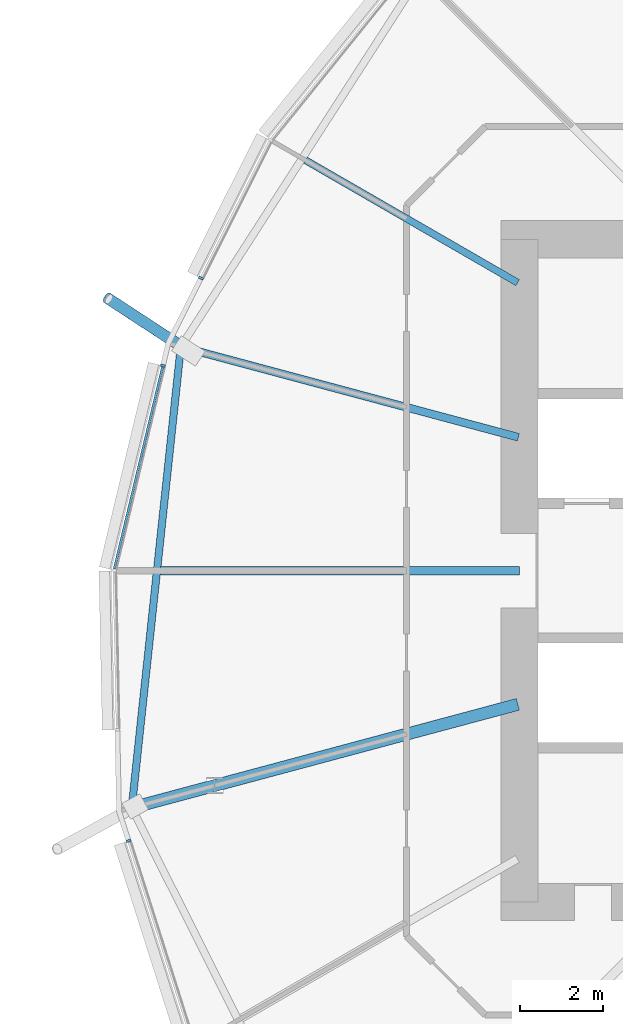
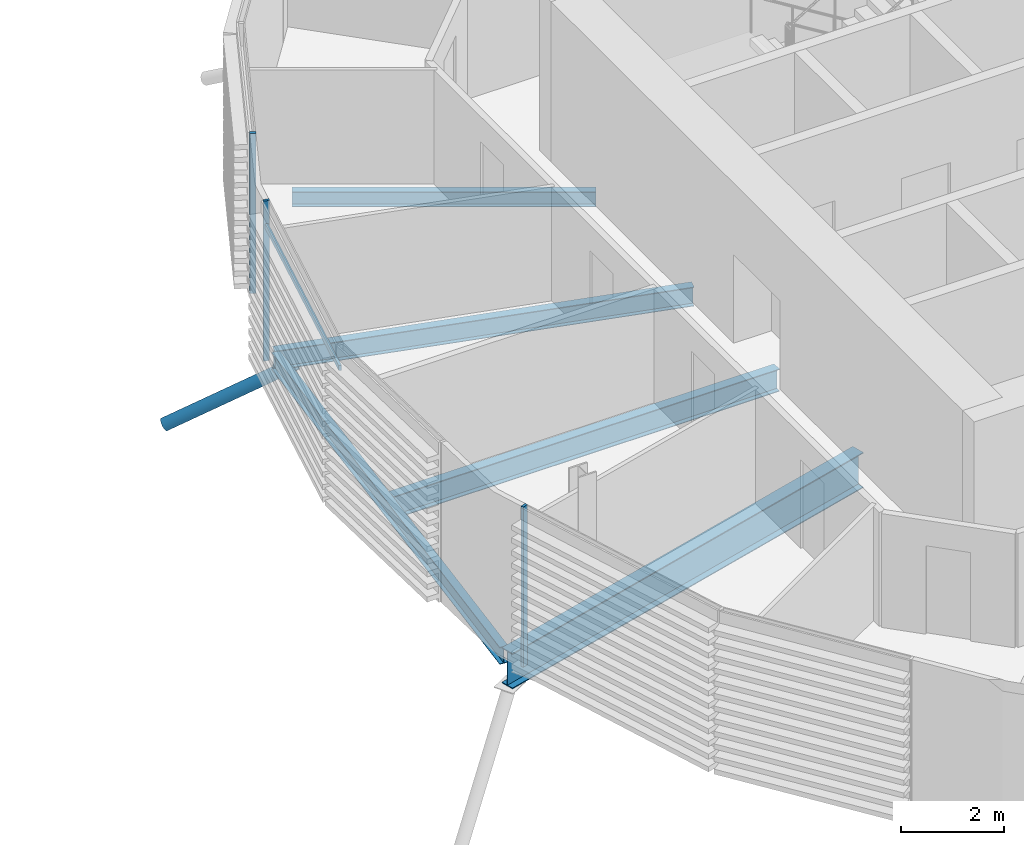
# One storey, part 14 of 38: 5 beams, 5 members, 1 element without a shape of its own.
"""IFC4 building model written with IfcOpenShell, lengths in metres."""

from ifc_helpers import new_model, si_unit, direction, frame, origin, origin_2d, place, context, subcontext, project, spatial, rectangle, hollow_circle, i_section, extrude, clip, halfspace, material, material_profile, profile_set, type_object, element, aggregate, save


model = new_model("IFC4")

# Units and contexts
model_context = context("Model", 3, precision=1e-05, world=origin(), true_north=direction((0.0, 1.0)))
body_context = subcontext(model_context, "Body", "Model", "MODEL_VIEW")
ifc_project = project(units=[si_unit("LENGTHUNIT", "METRE"), si_unit("AREAUNIT", "SQUARE_METRE"), si_unit("VOLUMEUNIT", "CUBIC_METRE"), si_unit("PLANEANGLEUNIT", "RADIAN"), si_unit("MASSUNIT", "GRAM", prefix="KILO")], contexts=[model_context])

# Site, building, storey
site_placement = place(None, origin())
site = spatial("IfcSite", under=ifc_project, at=site_placement, CompositionType="ELEMENT")
building_placement = place(site_placement, origin())
building = spatial("IfcBuilding", under=site, at=building_placement, Name="Rimbun Link Towers", CompositionType="ELEMENT")
storey_placement = place(building_placement, frame((0.0, 0.0, 56.60009765625)))
storey = spatial("IfcBuildingStorey", under=building, at=storey_placement, Name="L13", CompositionType="ELEMENT", Elevation=56.60009765625)

# Curtain wall, members
ifc_material_1 = material(Name="Aluminium 6063-T6 and low-iron glass", Category="aluminium")
curtain_wall_type = type_object("IfcCurtainWallType", Name="CW1 unitised vision wall", PredefinedType="NOTDEFINED", material=ifc_material_1)
curtain_wall_placement = place(storey_placement, origin())
curtain_wall = element("IfcCurtainWall", 1, at=curtain_wall_placement, inside=storey, type_object=curtain_wall_type, Name="CW1 L13 T2", PredefinedType="NOTDEFINED")
ifc_material_2 = material(Name="Aluminium 6063-T6", Category="aluminium")
ifc_material_profile_1 = material_profile(ifc_material_2, rectangle(XDim=0.1201171875, YDim=0.06005859375, at=origin_2d()), Name="MULLION 60X120")
ifc_profile_set_1 = profile_set([ifc_material_profile_1], Name="Aluminium 6063-T6")
member_type_1 = type_object("IfcMemberType", Name="CW1 mullion 60X120", PredefinedType="MULLION", material=ifc_profile_set_1)
member_1_placement = place(storey_placement, frame((12.06005859375, 7.062744140625, 0.0), z_axis=(0.0, 0.0, 1.0), x_axis=(-0.893637652343, 0.448789200311, 0.0)))
member_1 = element("IfcMember", 2, at=member_1_placement, type_object=member_type_1, Name="CW1 mullion", PredefinedType="MULLION", context=body_context, shape_type="SweptSolid", body=[
    extrude(rectangle(XDim=0.1201171875, YDim=0.06005859375, at=origin_2d()), origin(), (0.0, 0.0, 1.0), 3.7998046875),
])
member_2_placement = place(storey_placement, frame((11.14208984375, 4.950927734375, 0.0), z_axis=(0.0, 0.0, 1.0), x_axis=(-0.972571724543, 0.232603182737, 0.0)))
member_2 = element("IfcMember", 3, at=member_2_placement, type_object=member_type_1, Name="CW1 mullion", PredefinedType="MULLION", context=body_context, shape_type="SweptSolid", body=[
    extrude(rectangle(XDim=0.1201171875, YDim=0.06005859375, at=origin_2d()), origin(), (0.0, 0.0, 1.0), 3.7998046875),
])
member_3_placement = place(storey_placement, frame((10.311767578125, -6.522705078125, 0.0), z_axis=(0.0, 0.0, 1.0), x_axis=(-0.952967205153, -0.303073433186, 0.0)))
member_3 = element("IfcMember", 4, at=member_3_placement, type_object=member_type_1, Name="CW1 mullion", PredefinedType="MULLION", context=body_context, shape_type="SweptSolid", body=[
    extrude(rectangle(XDim=0.1201171875, YDim=0.06005859375, at=origin_2d()), origin(), (0.0, 0.0, 1.0), 3.7998046875),
])
ifc_material_3 = material(Name="Aluminium 6063-T6", Category="aluminium")
ifc_material_profile_2 = material_profile(ifc_material_3, rectangle(XDim=0.06005859375, YDim=0.1201171875, at=origin_2d()), Name="TRANSOM 60X120")
ifc_profile_set_2 = profile_set([ifc_material_profile_2], Name="Aluminium 6063-T6")
member_type_2 = type_object("IfcMemberType", Name="CW1 transom 60X120", PredefinedType="USERDEFINED", material=ifc_profile_set_2)
member_4_placement = place(storey_placement, frame((9.97021484375, 0.042724609375, 3.199951171875), z_axis=(0.23259423028, 0.972573865596, 0.0), x_axis=(-0.972573865596, 0.23259423028, 0.0)))
member_4 = element("IfcMember", 5, at=member_4_placement, type_object=member_type_2, Name="CW1 transom", ObjectType="TRANSOM", PredefinedType="USERDEFINED", context=body_context, shape_type="SweptSolid", body=[
    extrude(rectangle(XDim=0.06005859375, YDim=0.1201171875, at=origin_2d()), origin(), (0.0, 0.0, 1.0), 5.016357421875),
])
aggregate(curtain_wall, [member_1, member_2, member_3, member_4])

# Member
ifc_material_4 = material(Name="Steel S355J2H", Category="steel")
ifc_material_profile_3 = material_profile(ifc_material_4, hollow_circle(Radius=0.136474609375, WallThickness=0.012451171875, at=origin_2d()), Name="CHS 273x12.5")
ifc_profile_set_3 = profile_set([ifc_material_profile_3], Name="Steel S355J2H")
member_type_3 = type_object("IfcMemberType", Name="Floor edge link CHS 273x12.5", PredefinedType="BRACE", material=ifc_profile_set_3)
member_5_placement = place(storey_placement, frame((11.623291015625, 5.392822265625, -0.72998046875), z_axis=(-0.716341279332, 0.468207555435, -0.517336308951), x_axis=(-0.547110661043, -0.837060287299, 0.0)))
element("IfcMember", 6, at=member_5_placement, inside=storey, type_object=member_type_3, Name="Floor edge link T2 L13 08", PredefinedType="BRACE", context=body_context, shape_type="Clipping", body=[
    clip(extrude(hollow_circle(Radius=0.136474609375, WallThickness=0.012451171875, at=origin_2d()), frame((0.0, 0.0, -0.470947265625)), (0.0, 0.0, 1.0), 3.020263671875), halfspace(frame((0.0, 0.0, -0.22119140625), z_axis=(0.0, 0.855782182241, -0.517336308951)), False)),
])

# Beams
ifc_material_5 = material(Name="Steel S355J2", Category="steel")
ifc_material_profile_4 = material_profile(ifc_material_5, i_section(OverallWidth=0.17138671875, OverallDepth=0.35498046875, WebThickness=0.00732421875, FlangeThickness=0.011474609375, at=origin_2d()), Name="UB 356x171x51")
ifc_profile_set_4 = profile_set([ifc_material_profile_4], Name="Steel S355J2")
beam_type_1 = type_object("IfcBeamType", Name="UB 356x171x51", PredefinedType="BEAM", material=ifc_profile_set_4)
beam_1_placement = place(storey_placement, frame((19.706298828125, 6.95361328125, -0.337646484375), z_axis=(-0.866039857565, 0.499974964482, 0.0), x_axis=(-0.499974964482, -0.866039857565, 0.0)))
element("IfcBeam", 7, at=beam_1_placement, inside=storey, type_object=beam_type_1, Name="Radial beam T2 L13 07", PredefinedType="BEAM", context=body_context, shape_type="SweptSolid", body=[
    extrude(i_section(OverallWidth=0.17138671875, OverallDepth=0.35498046875, WebThickness=0.00732421875, FlangeThickness=0.011474609375, at=origin_2d()), origin(), (0.0, 0.0, 1.0), 5.914306640625),
])
ifc_material_6 = material(Name="Steel S355J2", Category="steel")
ifc_material_profile_5 = material_profile(ifc_material_6, i_section(OverallWidth=0.177978515625, OverallDepth=0.406494140625, WebThickness=0.0078125, FlangeThickness=0.0126953125, at=origin_2d()), Name="UB 406x178x60")
ifc_profile_set_5 = profile_set([ifc_material_profile_5], Name="Steel S355J2")
beam_type_2 = type_object("IfcBeamType", Name="UB 406x178x60", PredefinedType="BEAM", material=ifc_profile_set_5)
beam_2_placement = place(storey_placement, frame((11.564697265625, 5.309326171875, -0.36328125), z_axis=(-0.105851331979, -0.99438196661, 0.0), x_axis=(0.99438196661, -0.105851331979, 0.0)))
element("IfcBeam", 8, at=beam_2_placement, inside=storey, type_object=beam_type_2, Name="Edge beam T2 L13 08-10", PredefinedType="BEAM", context=body_context, shape_type="SweptSolid", body=[
    extrude(i_section(OverallWidth=0.177978515625, OverallDepth=0.406494140625, WebThickness=0.0078125, FlangeThickness=0.0126953125, at=origin_2d()), origin(), (0.0, 0.0, 1.0), 10.937255859375),
])
ifc_material_7 = material(Name="Steel S355J2", Category="steel")
ifc_material_profile_6 = material_profile(ifc_material_7, i_section(OverallWidth=0.18994140625, OverallDepth=0.453369140625, WebThickness=0.008544921875, FlangeThickness=0.0126953125, at=origin_2d()), Name="UB 457x191x67")
ifc_profile_set_6 = profile_set([ifc_material_profile_6], Name="Steel S355J2")
beam_type_3 = type_object("IfcBeamType", Name="UB 457x191x67", PredefinedType="BEAM", material=ifc_profile_set_6)
beam_3_placement = place(storey_placement, frame((19.724609375, 3.22216796875, -0.38671875), z_axis=(-0.965921572473, 0.258834920038, 0.0), x_axis=(-0.258834920038, -0.965921572473, 0.0)))
element("IfcBeam", 9, at=beam_3_placement, inside=storey, type_object=beam_type_3, Name="Radial beam T2 L13 08", PredefinedType="BEAM", context=body_context, shape_type="SweptSolid", body=[
    extrude(i_section(OverallWidth=0.18994140625, OverallDepth=0.453369140625, WebThickness=0.008544921875, FlangeThickness=0.0126953125, at=origin_2d()), origin(), (0.0, 0.0, 1.0), 8.437255859375),
])
ifc_material_8 = material(Name="Steel S355J2", Category="steel")
ifc_material_profile_7 = material_profile(ifc_material_8, i_section(OverallWidth=0.209228515625, OverallDepth=0.533203125, WebThickness=0.010009765625, FlangeThickness=0.015625, at=origin_2d()), Name="UB 533x210x92")
ifc_profile_set_7 = profile_set([ifc_material_profile_7], Name="Steel S355J2")
beam_type_4 = type_object("IfcBeamType", Name="UB 533x210x92", PredefinedType="BEAM", material=ifc_profile_set_7)
beam_4_placement = place(storey_placement, frame((19.7490234375, 0.0, -0.426513671875), z_axis=(-1.0, 0.0, 0.0), x_axis=(0.0, -1.0, 0.0)))
element("IfcBeam", 10, at=beam_4_placement, inside=storey, type_object=beam_type_4, Name="Radial beam T2 L13 09", PredefinedType="BEAM", context=body_context, shape_type="SweptSolid", body=[
    extrude(i_section(OverallWidth=0.209228515625, OverallDepth=0.533203125, WebThickness=0.010009765625, FlangeThickness=0.015625, at=origin_2d()), origin(), (0.0, 0.0, 1.0), 8.658935546875),
])
ifc_material_9 = material(Name="Steel S355J2", Category="steel")
ifc_material_profile_8 = material_profile(ifc_material_9, i_section(OverallWidth=0.29248046875, OverallDepth=0.8408203125, WebThickness=0.0126953125, FlangeThickness=0.021728515625, at=origin_2d()), Name="UB 838x292x194")
ifc_profile_set_8 = profile_set([ifc_material_profile_8], Name="Steel S355J2")
beam_type_5 = type_object("IfcBeamType", Name="UB 838x292x194", PredefinedType="BEAM", material=ifc_profile_set_8)
beam_5_placement = place(storey_placement, frame((19.711181640625, -3.225830078125, -0.580322265625), z_axis=(-0.96592433524, -0.25882460971, 0.0), x_axis=(0.25882460971, -0.96592433524, 0.0)))
element("IfcBeam", 11, at=beam_5_placement, inside=storey, type_object=beam_type_5, Name="Radial beam T2 L13 10", PredefinedType="BEAM", context=body_context, shape_type="SweptSolid", body=[
    extrude(i_section(OverallWidth=0.29248046875, OverallDepth=0.8408203125, WebThickness=0.0126953125, FlangeThickness=0.021728515625, at=origin_2d()), origin(), (0.0, 0.0, 1.0), 9.649658203125),
])

save(model, "model.ifc")
